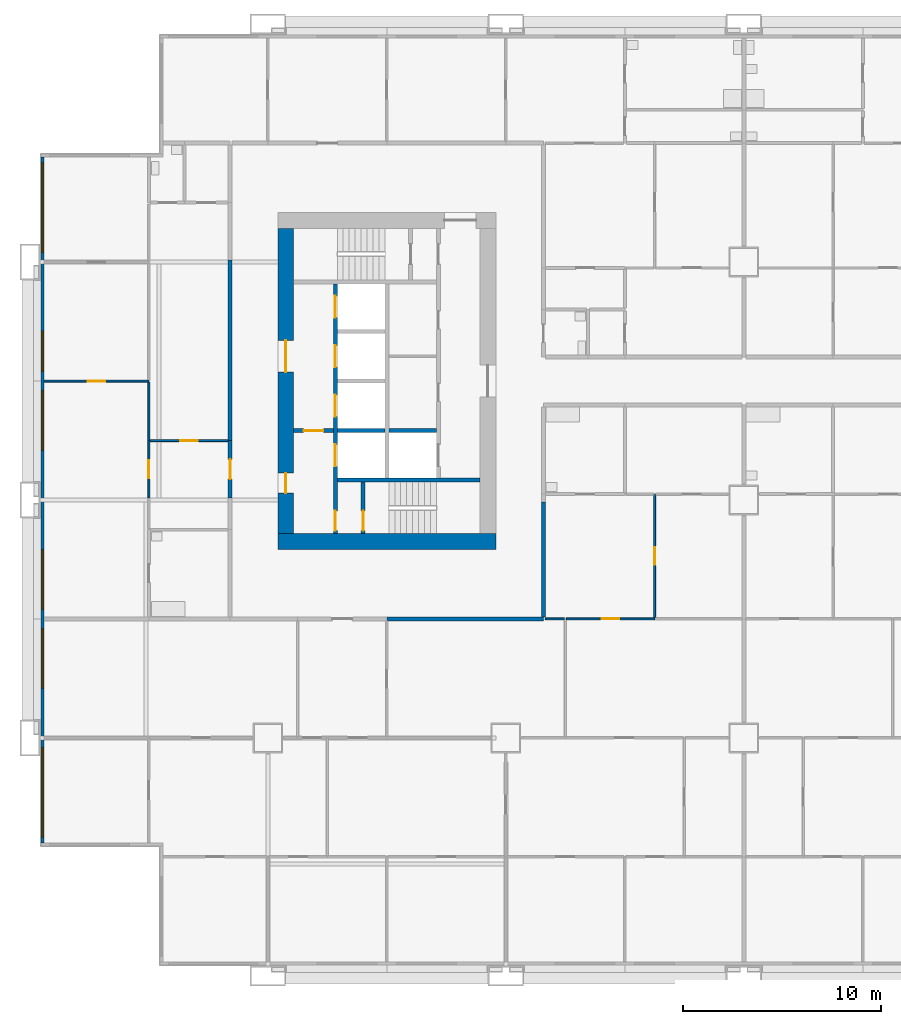
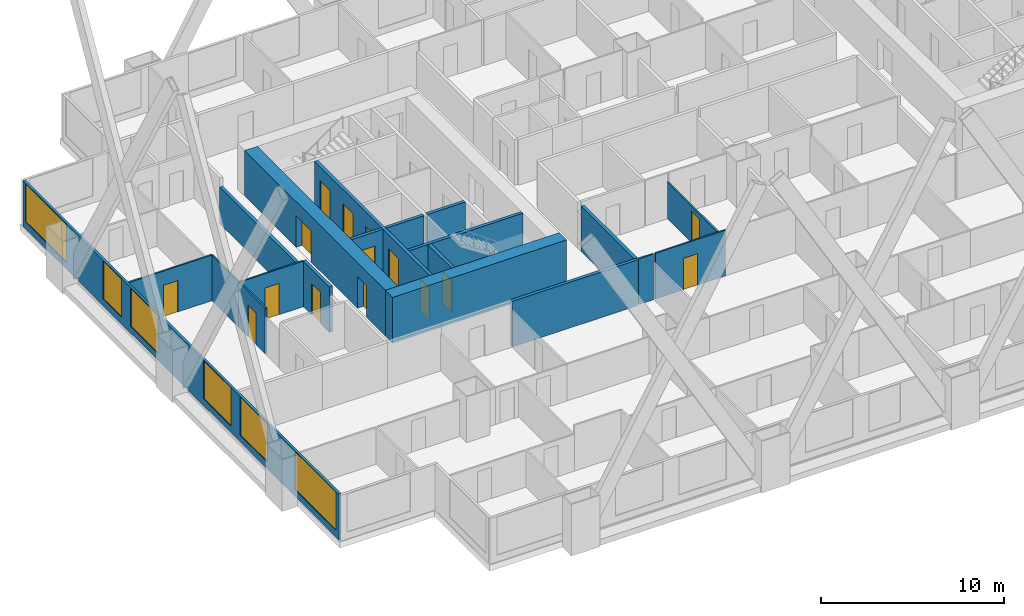
# One storey, part 3 of 13: 20 walls, 15 doors, 6 windows, 21 openings.
"""IFC4 building model written with IfcOpenShell, lengths in metres."""

import ifcopenshell
import ifcopenshell.guid

model = None  # the IFC model being written
_history = None  # IfcOwnerHistory: only IFC2X3 demands one
_inside = {}  # id of a spatial element -> (the spatial element, [elements in it])
_under = {}  # id of a project, library or spatial element -> (it, [spatial elements below it])
_declared = {}  # id of a project -> (the project, [libraries it declares])
_typed = {}  # id of a type object -> (the type object, [elements of that type])
_made_of = {}  # id of a material, layer set ... -> (it, [elements and type objects made of it])


def new_model(schema):
    """Start an empty IFC model of exactly this schema.

    Asked for "IFC4X3", IfcOpenShell would pick the latest addendum, in which some entities
    have other attributes; the version numbers below select the first issue.
    IFC2X3 requires an IfcOwnerHistory on every rooted entity: one is made here for all.
    """
    global model, _history
    if schema == "IFC4X3":
        model = ifcopenshell.file(schema_version=(4, 3, 0, 0))
    else:
        model = ifcopenshell.file(schema=schema)
    _inside.clear()
    _under.clear()
    _declared.clear()
    _typed.clear()
    _made_of.clear()
    _history = None
    if model.schema == "IFC2X3":
        org = make("IfcOrganization", Name="unknown")
        user = make(
            "IfcPersonAndOrganization",
            ThePerson=make("IfcPerson", FamilyName="unknown"),
            TheOrganization=org,
        )
        app = make(
            "IfcApplication",
            ApplicationDeveloper=org,
            Version="unknown",
            ApplicationFullName="unknown",
            ApplicationIdentifier="unknown",
        )
        _history = make(
            "IfcOwnerHistory",
            OwningUser=user,
            OwningApplication=app,
            ChangeAction="ADDED",
            CreationDate=0,
        )
    return model


def make(cls, **values):
    """One entity of the class cls with the attributes given. An attribute that is None is left unset."""
    return model.create_entity(
        cls, **{name: value for name, value in values.items() if value is not None}
    )


def rooted(cls, **values):
    """An entity with a GlobalId (a new one), such as an element, a storey or a relation."""
    return make(cls, GlobalId=ifcopenshell.guid.new(), OwnerHistory=_history, **values)


def si_unit(unit_type, name, prefix=None):
    """IfcSIUnit, for example si_unit("LENGTHUNIT", "METRE", prefix="MILLI")."""
    return make("IfcSIUnit", UnitType=unit_type, Prefix=prefix, Name=name)


def assignment(units):
    """IfcUnitAssignment: the units of a project."""
    return None if units is None else make("IfcUnitAssignment", Units=units)


def point(xyz):
    """IfcCartesianPoint."""
    return None if xyz is None else make("IfcCartesianPoint", Coordinates=xyz)


def direction(xyz):
    """IfcDirection."""
    return None if xyz is None else make("IfcDirection", DirectionRatios=xyz)


def frame(location, z_axis=None, x_axis=None):
    """IfcAxis2Placement3D, a coordinate frame: its origin and axes. An axis left out is left unset."""
    return make(
        "IfcAxis2Placement3D",
        Location=point(location),
        Axis=direction(z_axis),
        RefDirection=direction(x_axis),
    )


def frame_2d(location, x_axis=None):
    """IfcAxis2Placement2D, a coordinate frame in the plane: its origin and x axis."""
    return make(
        "IfcAxis2Placement2D", Location=point(location), RefDirection=direction(x_axis)
    )


def origin():
    """The frame at (0, 0, 0) with its axes left unset."""
    return frame((0.0, 0.0, 0.0))


def place(relative_to, where):
    """IfcLocalPlacement: puts the frame where relative to a parent placement (None: the world)."""
    return make(
        "IfcLocalPlacement", PlacementRelTo=relative_to, RelativePlacement=where
    )


def context(
    kind, dimensions, precision=None, world=None, true_north=None, identifier=None
):
    """IfcGeometricRepresentationContext, for example the 3D "Model" context."""
    return make(
        "IfcGeometricRepresentationContext",
        ContextIdentifier=identifier,
        ContextType=kind,
        CoordinateSpaceDimension=dimensions,
        Precision=precision,
        WorldCoordinateSystem=world,
        TrueNorth=true_north,
    )


def subcontext(parent, identifier, kind, view, scale=None):
    """IfcGeometricRepresentationSubContext, for example "Body" below "Model"."""
    return make(
        "IfcGeometricRepresentationSubContext",
        ContextIdentifier=identifier,
        ContextType=kind,
        ParentContext=parent,
        TargetScale=scale,
        TargetView=view,
    )


def project(units=None, contexts=None):
    """IfcProject with its units and contexts."""
    return rooted(
        "IfcProject",
        Name="project",
        RepresentationContexts=contexts,
        UnitsInContext=assignment(units),
    )


def spatial(cls, under=None, at=None, **own):
    """A site, building, storey or space (cls), placed at a placement, below another one or the project."""
    s = rooted(cls, ObjectPlacement=at, **own)
    if under is not None:
        _under.setdefault(under.id(), (under, []))[1].append(s)
    return s


def profile(cls, at=None, kind="AREA", **sizes):
    """A parametric profile (cls). Its sizes go by their IFC names, for example OverallWidth=200.0."""
    return make(cls, ProfileType=kind, Position=at, **sizes)


def rectangle(**sizes):
    """IfcRectangleProfileDef."""
    return profile("IfcRectangleProfileDef", **sizes)


def extrude(swept, where, along, depth):
    """IfcExtrudedAreaSolid: the profile swept, set in the frame where, extruded along a direction by depth."""
    return make(
        "IfcExtrudedAreaSolid",
        SweptArea=swept,
        Position=where,
        ExtrudedDirection=direction(along),
        Depth=depth,
    )


def shape(context_of_items, identifier, shape_type, items):
    """IfcShapeRepresentation: the items that make up one representation, for example the "Body"."""
    return make(
        "IfcShapeRepresentation",
        ContextOfItems=context_of_items,
        RepresentationIdentifier=identifier,
        RepresentationType=shape_type,
        Items=items,
    )


def material(Name=None, Category=None):
    """IfcMaterial."""
    return make("IfcMaterial", Name=Name, Category=Category)


def layer(
    of_material, thickness, ventilated=None, Name=None, Category=None, Priority=None
):
    """IfcMaterialLayer: one layer of a wall or slab, of a material (None: an air gap)."""
    return make(
        "IfcMaterialLayer",
        Material=of_material,
        LayerThickness=thickness,
        IsVentilated=ventilated,
        Name=Name,
        Category=Category,
        Priority=Priority,
    )


def layer_set(layers, Name=None):
    """IfcMaterialLayerSet."""
    return make("IfcMaterialLayerSet", MaterialLayers=layers, LayerSetName=Name)


def made_of(thing, what):
    """Note that an element or type object is made of a material, layer set ...; save() writes the relation."""
    if what is not None:
        _made_of.setdefault(what.id(), (what, []))[1].append(thing)
    return thing


def type_object(cls, material=None, **own):
    """A type object (cls), such as IfcWallType, which elements share."""
    return made_of(rooted(cls, **own), material)


def element(
    cls,
    number,
    at=None,
    inside=None,
    cuts=None,
    type_object=None,
    material=None,
    context=None,
    identifier="Body",
    shape_type=None,
    held_by="IfcProductDefinitionShape",
    body=None,
    shapes=None,
    **own,
):
    """One element of the class cls, such as IfcWall. Its Tag is "e" and its number.

    at: its placement. inside: the storey or other place that contains it. cuts: it is an
    opening in that element (IfcRelVoidsElement). A single representation is given by context,
    identifier, shape_type and body (its items); several are given by shapes. held_by: the class
    of the entity that holds the representations. save() writes the other relations.
    """
    e = rooted(cls, Tag="e%d" % number, ObjectPlacement=at, **own)
    if body is not None:
        shapes = [shape(context, identifier, shape_type, body)]
    if shapes is not None:
        e.Representation = make(held_by, Representations=shapes)
    if inside is not None:
        _inside.setdefault(inside.id(), (inside, []))[1].append(e)
    if cuts is not None:
        rooted(
            "IfcRelVoidsElement", RelatingBuildingElement=cuts, RelatedOpeningElement=e
        )
    if type_object is not None:
        _typed.setdefault(type_object.id(), (type_object, []))[1].append(e)
    return made_of(e, material)


def fill(opening, filler):
    """IfcRelFillsElement: the door or window that sits in an opening."""
    return rooted(
        "IfcRelFillsElement",
        RelatingOpeningElement=opening,
        RelatedBuildingElement=filler,
    )


def aggregate(whole, parts):
    """IfcRelAggregates: a whole, such as a stair, and the parts it consists of."""
    return rooted("IfcRelAggregates", RelatingObject=whole, RelatedObjects=parts)


def save(model, path):
    """Write the relations noted so far, then the file.

    IfcRelAggregates (storeys below a building ...), IfcRelContainedInSpatialStructure (elements
    in a storey), IfcRelDefinesByType, IfcRelAssociatesMaterial and IfcRelDeclares: one each for
    every whole, place, type object, material and project.
    """
    for whole, parts in _under.values():
        aggregate(whole, parts)
    for where, things in _inside.values():
        rooted(
            "IfcRelContainedInSpatialStructure",
            RelatedElements=things,
            RelatingStructure=where,
        )
    for kind, things in _typed.values():
        rooted("IfcRelDefinesByType", RelatedObjects=things, RelatingType=kind)
    for what, things in _made_of.values():
        rooted("IfcRelAssociatesMaterial", RelatedObjects=things, RelatingMaterial=what)
    for by, libraries in _declared.values():
        rooted("IfcRelDeclares", RelatingContext=by, RelatedDefinitions=libraries)
    model.write(path)


model = new_model("IFC4")

# Units and contexts
model_context = context("Model", 3, precision=1e-05, world=origin(), true_north=direction((0.0, 1.0)))
body_context = subcontext(model_context, "Body", "Model", "MODEL_VIEW")
ifc_project = project(units=[si_unit("LENGTHUNIT", "METRE"), si_unit("AREAUNIT", "SQUARE_METRE"), si_unit("VOLUMEUNIT", "CUBIC_METRE"), si_unit("PLANEANGLEUNIT", "RADIAN"), si_unit("MASSUNIT", "GRAM", prefix="KILO")], contexts=[model_context])

# Site, building, storey
site_placement = place(None, origin())
site = spatial("IfcSite", under=ifc_project, at=site_placement, CompositionType="ELEMENT")
building_placement = place(site_placement, origin())
building = spatial("IfcBuilding", under=site, at=building_placement, Name="Kitamizu Gate Tower and Museum", CompositionType="ELEMENT")
storey_placement = place(building_placement, frame((0.0, 0.0, 30.0)))
storey = spatial("IfcBuildingStorey", under=building, at=storey_placement, Name="L05", CompositionType="ELEMENT", Elevation=30.0)

# Wall
ifc_material_1 = material(Name="Concrete Fc60", Category="concrete")
ifc_layer_1 = layer(ifc_material_1, 0.800048828125)
ifc_layer_set_1 = layer_set([ifc_layer_1], Name="Concrete Fc60")
wall_type_1 = type_object("IfcWallType", Name="Core wall 800", PredefinedType="SHEAR", material=ifc_layer_set_1)
wall_1_placement = place(storey_placement, frame((12.5, 21.89990234375, 0.0), z_axis=(0.0, 0.0, 1.0), x_axis=(1.0, 0.0, 0.0)))
element("IfcWall", 1, at=wall_1_placement, inside=storey, type_object=wall_type_1, Name="Core wall WS", PredefinedType="SHEAR", context=body_context, shape_type="SweptSolid", body=[
    extrude(rectangle(XDim=11.0, YDim=0.800048828125, at=frame_2d((5.5, 0.0))), origin(), (0.0, 0.0, 1.0), 3.050048828125),
])

# Wall, openings, doors
wall_2_placement = place(storey_placement, frame((12.89990234375, 22.300048828125, 0.0), z_axis=(0.0, 0.0, 1.0), x_axis=(0.0, 1.0, 0.0)))
wall_2 = element("IfcWall", 2, at=wall_2_placement, inside=storey, type_object=wall_type_1, Name="Core wall WOUT", PredefinedType="SHEAR", context=body_context, shape_type="SweptSolid", body=[
    extrude(rectangle(XDim=15.39990234375, YDim=0.800048828125, at=frame_2d((7.699951171875, 0.0))), origin(), (0.0, 0.0, 1.0), 3.050048828125),
])
opening_1_placement = place(wall_2_placement, frame((8.14990234375, 0.0, 0.0)))
opening_1 = element("IfcOpeningElement", 3, at=opening_1_placement, cuts=wall_2, Name="Opening L05-083", PredefinedType="OPENING", context=body_context, shape_type="SweptSolid", body=[
    extrude(rectangle(XDim=1.60009765625, YDim=2.10009765625, at=frame_2d((0.800048828125, 1.050048828125))), frame((0.0, 0.41015625, 0.0), z_axis=(0.0, -1.0, 0.0), x_axis=(1.0, 0.0, 0.0)), (0.0, 0.0, 1.0), 0.820068359375),
])
opening_2_placement = place(wall_2_placement, frame((2.050048828125, 0.0, 0.0)))
opening_2 = element("IfcOpeningElement", 4, at=opening_2_placement, cuts=wall_2, Name="Opening L05-084", PredefinedType="OPENING", context=body_context, shape_type="SweptSolid", body=[
    extrude(rectangle(XDim=1.0, YDim=2.10009765625, at=frame_2d((0.5, 1.050048828125))), frame((0.0, 0.41015625, 0.0), z_axis=(0.0, -1.0, 0.0), x_axis=(1.0, 0.0, 0.0)), (0.0, 0.0, 1.0), 0.820068359375),
])
ifc_material_2 = material(Name="Timber door set", Category="wood")
door_type_1 = type_object("IfcDoorType", Name="Entrance door 1600", OperationType="DOUBLE_DOOR_SINGLE_SWING", PredefinedType="DOOR", material=ifc_material_2)
door_1_placement = place(opening_1_placement, origin())
door_1 = element("IfcDoor", 5, at=door_1_placement, inside=storey, type_object=door_type_1, Name="Lobby door L05-083", OperationType="DOUBLE_DOOR_SINGLE_SWING", OverallHeight=2.10009765625, OverallWidth=1.60009765625, PredefinedType="DOOR", context=body_context, shape_type="SweptSolid", body=[
    extrude(rectangle(XDim=1.60009765625, YDim=2.10009765625, at=frame_2d((0.800048828125, 1.050048828125))), frame((0.0, 0.02490234375, 0.0), z_axis=(0.0, -1.0, 0.0), x_axis=(1.0, 0.0, 0.0)), (0.0, 0.0, 1.0), 0.050048828125),
])
fill(opening_1, door_1)
ifc_material_3 = material(Name="Hollow metal door set")
door_type_2 = type_object("IfcDoorType", Name="Fire door 1000", OperationType="NOTDEFINED", PredefinedType="DOOR", material=ifc_material_3)
door_2_placement = place(opening_2_placement, frame((1.0, 0.0, 0.0), x_axis=(-1.0, 0.0, 0.0)))
door_2 = element("IfcDoor", 6, at=door_2_placement, inside=storey, type_object=door_type_2, Name="Fire-fighting lobby door L05-084", OperationType="SINGLE_SWING_LEFT", OverallHeight=2.10009765625, OverallWidth=1.0, PredefinedType="DOOR", context=body_context, shape_type="SweptSolid", body=[
    extrude(rectangle(XDim=1.0, YDim=2.10009765625, at=frame_2d((0.5, 1.050048828125))), frame((0.0, 0.02490234375, 0.0), z_axis=(0.0, -1.0, 0.0), x_axis=(1.0, 0.0, 0.0)), (0.0, 0.0, 1.0), 0.050048828125),
])
fill(opening_2, door_2)

# Wall
ifc_material_4 = material(Name="Gypsum board on galvanised stud")
ifc_layer_2 = layer(ifc_material_4, 0.10009765625)
ifc_layer_set_2 = layer_set([ifc_layer_2], Name="Gypsum board on galvanised stud")
wall_type_2 = type_object("IfcWallType", Name="Partition 100 NOT RATED", PredefinedType="PARTITIONING", material=ifc_layer_set_2)
wall_3_placement = place(storey_placement, frame((26.949951171875, 18.0, 0.0), z_axis=(0.0, 0.0, 1.0), x_axis=(-1.0, 0.0, 0.0)))
element("IfcWall", 7, at=wall_3_placement, inside=storey, type_object=wall_type_2, Name="Partition L05-034", PredefinedType="PARTITIONING", context=body_context, shape_type="SweptSolid", body=[
    extrude(rectangle(XDim=0.949951171875, YDim=0.10009765625, at=frame_2d((0.47509765625, 0.0))), origin(), (0.0, 0.0, 1.0), 3.050048828125),
])

# Wall, opening, door
wall_4_placement = place(storey_placement, frame((31.5, 18.0, 0.0), z_axis=(0.0, 0.0, 1.0), x_axis=(-1.0, 0.0, 0.0)))
wall_4 = element("IfcWall", 8, at=wall_4_placement, inside=storey, type_object=wall_type_2, Name="Partition L05-036", PredefinedType="PARTITIONING", context=body_context, shape_type="SweptSolid", body=[
    extrude(rectangle(XDim=4.449951171875, YDim=0.10009765625, at=frame_2d((2.22509765625, 0.0))), origin(), (0.0, 0.0, 1.0), 3.050048828125),
])
opening_3_placement = place(wall_4_placement, frame((1.77490234375, 0.0, 0.0)))
opening_3 = element("IfcOpeningElement", 9, at=opening_3_placement, cuts=wall_4, Name="Opening L05-015", PredefinedType="OPENING", context=body_context, shape_type="SweptSolid", body=[
    extrude(rectangle(XDim=0.89990234375, YDim=2.10009765625, at=frame_2d((0.449951171875, 1.050048828125))), frame((0.0, 0.06005859375, 0.0), z_axis=(0.0, -1.0, 0.0), x_axis=(1.0, 0.0, 0.0)), (0.0, 0.0, 1.0), 0.1201171875),
])
ifc_material_5 = material(Name="Timber door set", Category="wood")
door_type_3 = type_object("IfcDoorType", Name="Room door 900", OperationType="NOTDEFINED", PredefinedType="DOOR", material=ifc_material_5)
door_3_placement = place(opening_3_placement, frame((0.89990234375, 0.0, 0.0), x_axis=(-1.0, 0.0, 0.0)))
door_3 = element("IfcDoor", 10, at=door_3_placement, inside=storey, type_object=door_type_3, Name="Door L05-015", OperationType="SINGLE_SWING_LEFT", OverallHeight=2.10009765625, OverallWidth=0.89990234375, PredefinedType="DOOR", context=body_context, shape_type="SweptSolid", body=[
    extrude(rectangle(XDim=0.89990234375, YDim=2.10009765625, at=frame_2d((0.449951171875, 1.050048828125))), frame((0.0, 0.02490234375, 0.0), z_axis=(0.0, -1.0, 0.0), x_axis=(1.0, 0.0, 0.0)), (0.0, 0.0, 1.0), 0.050048828125),
])
fill(opening_3, door_3)

wall_5_placement = place(storey_placement, frame((31.5, 18.050048828125, 0.0), z_axis=(0.0, 0.0, 1.0), x_axis=(0.0, 1.0, 0.0)))
wall_5 = element("IfcWall", 11, at=wall_5_placement, inside=storey, type_object=wall_type_2, Name="Partition L05-039", PredefinedType="PARTITIONING", context=body_context, shape_type="SweptSolid", body=[
    extrude(rectangle(XDim=6.25, YDim=0.10009765625, at=frame_2d((3.125, 0.0))), origin(), (0.0, 0.0, 1.0), 2.449951171875),
])
opening_4_placement = place(wall_5_placement, frame((2.675048828125, 0.0, 0.0)))
opening_4 = element("IfcOpeningElement", 12, at=opening_4_placement, cuts=wall_5, Name="Opening L05-016", PredefinedType="OPENING", context=body_context, shape_type="SweptSolid", body=[
    extrude(rectangle(XDim=0.89990234375, YDim=2.10009765625, at=frame_2d((0.449951171875, 1.050048828125))), frame((0.0, 0.06005859375, 0.0), z_axis=(0.0, -1.0, 0.0), x_axis=(1.0, 0.0, 0.0)), (0.0, 0.0, 1.0), 0.1201171875),
])
door_4_placement = place(opening_4_placement, frame((0.89990234375, 0.0, 0.0), x_axis=(-1.0, 0.0, 0.0)))
door_4 = element("IfcDoor", 13, at=door_4_placement, inside=storey, type_object=door_type_3, Name="Door L05-016", OperationType="SINGLE_SWING_RIGHT", OverallHeight=2.10009765625, OverallWidth=0.89990234375, PredefinedType="DOOR", context=body_context, shape_type="SweptSolid", body=[
    extrude(rectangle(XDim=0.89990234375, YDim=2.10009765625, at=frame_2d((0.449951171875, 1.050048828125))), frame((0.0, 0.02490234375, 0.0), z_axis=(0.0, -1.0, 0.0), x_axis=(1.0, 0.0, 0.0)), (0.0, 0.0, 1.0), 0.050048828125),
])
fill(opening_4, door_4)

wall_6_placement = place(storey_placement, frame((6.0, 30.0, 0.0), z_axis=(0.0, 0.0, 1.0), x_axis=(-1.0, 0.0, 0.0)))
wall_6 = element("IfcWall", 14, at=wall_6_placement, inside=storey, type_object=wall_type_2, Name="Partition L05-051", PredefinedType="PARTITIONING", context=body_context, shape_type="SweptSolid", body=[
    extrude(rectangle(XDim=5.280029296875, YDim=0.10009765625, at=frame_2d((2.64013671875, 0.0))), origin(), (0.0, 0.0, 1.0), 3.050048828125),
])
opening_5_placement = place(wall_6_placement, frame((2.18994140625, 0.0, 0.0)))
opening_5 = element("IfcOpeningElement", 15, at=opening_5_placement, cuts=wall_6, Name="Opening L05-022", PredefinedType="OPENING", context=body_context, shape_type="SweptSolid", body=[
    extrude(rectangle(XDim=0.89990234375, YDim=2.10009765625, at=frame_2d((0.449951171875, 1.050048828125))), frame((0.0, 0.06005859375, 0.0), z_axis=(0.0, -1.0, 0.0), x_axis=(1.0, 0.0, 0.0)), (0.0, 0.0, 1.0), 0.1201171875),
])
door_5_placement = place(opening_5_placement, frame((0.89990234375, 0.0, 0.0), x_axis=(-1.0, 0.0, 0.0)))
door_5 = element("IfcDoor", 16, at=door_5_placement, inside=storey, type_object=door_type_3, Name="Door L05-022", OperationType="SINGLE_SWING_RIGHT", OverallHeight=2.10009765625, OverallWidth=0.89990234375, PredefinedType="DOOR", context=body_context, shape_type="SweptSolid", body=[
    extrude(rectangle(XDim=0.89990234375, YDim=2.10009765625, at=frame_2d((0.449951171875, 1.050048828125))), frame((0.0, 0.02490234375, 0.0), z_axis=(0.0, -1.0, 0.0), x_axis=(1.0, 0.0, 0.0)), (0.0, 0.0, 1.0), 0.050048828125),
])
fill(opening_5, door_5)

wall_7_placement = place(storey_placement, frame((6.0, 24.10009765625, 0.0), z_axis=(0.0, 0.0, 1.0), x_axis=(0.0, 1.0, 0.0)))
wall_7 = element("IfcWall", 17, at=wall_7_placement, inside=storey, type_object=wall_type_2, Name="Partition L05-054", PredefinedType="PARTITIONING", context=body_context, shape_type="SweptSolid", body=[
    extrude(rectangle(XDim=2.89990234375, YDim=0.10009765625, at=frame_2d((1.449951171875, 0.0))), origin(), (0.0, 0.0, 1.0), 3.050048828125),
])
opening_6_placement = place(wall_7_placement, frame((1.0, 0.0, 0.0)))
opening_6 = element("IfcOpeningElement", 18, at=opening_6_placement, cuts=wall_7, Name="Opening L05-020", PredefinedType="OPENING", context=body_context, shape_type="SweptSolid", body=[
    extrude(rectangle(XDim=0.89990234375, YDim=2.10009765625, at=frame_2d((0.449951171875, 1.050048828125))), frame((0.0, 0.06005859375, 0.0), z_axis=(0.0, -1.0, 0.0), x_axis=(1.0, 0.0, 0.0)), (0.0, 0.0, 1.0), 0.1201171875),
])
door_6_placement = place(opening_6_placement, origin())
door_6 = element("IfcDoor", 19, at=door_6_placement, inside=storey, type_object=door_type_3, Name="Door L05-020", OperationType="SINGLE_SWING_LEFT", OverallHeight=2.10009765625, OverallWidth=0.89990234375, PredefinedType="DOOR", context=body_context, shape_type="SweptSolid", body=[
    extrude(rectangle(XDim=0.89990234375, YDim=2.10009765625, at=frame_2d((0.449951171875, 1.050048828125))), frame((0.0, 0.02490234375, 0.0), z_axis=(0.0, -1.0, 0.0), x_axis=(1.0, 0.0, 0.0)), (0.0, 0.0, 1.0), 0.050048828125),
])
fill(opening_6, door_6)

# Wall
wall_8_placement = place(storey_placement, frame((6.0, 27.0, 0.0), z_axis=(0.0, 0.0, 1.0), x_axis=(0.0, 1.0, 0.0)))
element("IfcWall", 20, at=wall_8_placement, inside=storey, type_object=wall_type_2, Name="Partition L05-055", PredefinedType="PARTITIONING", context=body_context, shape_type="SweptSolid", body=[
    extrude(rectangle(XDim=2.949951171875, YDim=0.10009765625, at=frame_2d((1.47509765625, 0.0))), origin(), (0.0, 0.0, 1.0), 3.050048828125),
])

# Wall, opening, door
wall_9_placement = place(storey_placement, frame((10.0, 27.0, 0.0), z_axis=(0.0, 0.0, 1.0), x_axis=(-1.0, 0.0, 0.0)))
wall_9 = element("IfcWall", 21, at=wall_9_placement, inside=storey, type_object=wall_type_2, Name="Partition L05-062", PredefinedType="PARTITIONING", context=body_context, shape_type="SweptSolid", body=[
    extrude(rectangle(XDim=3.949951171875, YDim=0.10009765625, at=frame_2d((1.97509765625, 0.0))), origin(), (0.0, 0.0, 1.0), 3.050048828125),
])
opening_7_placement = place(wall_9_placement, frame((1.52490234375, 0.0, 0.0)))
opening_7 = element("IfcOpeningElement", 22, at=opening_7_placement, cuts=wall_9, Name="Opening L05-021", PredefinedType="OPENING", context=body_context, shape_type="SweptSolid", body=[
    extrude(rectangle(XDim=0.89990234375, YDim=2.10009765625, at=frame_2d((0.449951171875, 1.050048828125))), frame((0.0, 0.06005859375, 0.0), z_axis=(0.0, -1.0, 0.0), x_axis=(1.0, 0.0, 0.0)), (0.0, 0.0, 1.0), 0.1201171875),
])
door_7_placement = place(opening_7_placement, origin())
door_7 = element("IfcDoor", 23, at=door_7_placement, inside=storey, type_object=door_type_3, Name="Door L05-021", OperationType="SINGLE_SWING_RIGHT", OverallHeight=2.10009765625, OverallWidth=0.89990234375, PredefinedType="DOOR", context=body_context, shape_type="SweptSolid", body=[
    extrude(rectangle(XDim=0.89990234375, YDim=2.10009765625, at=frame_2d((0.449951171875, 1.050048828125))), frame((0.0, 0.02490234375, 0.0), z_axis=(0.0, -1.0, 0.0), x_axis=(1.0, 0.0, 0.0)), (0.0, 0.0, 1.0), 0.050048828125),
])
fill(opening_7, door_7)

# Walls
ifc_material_6 = material(Name="Gypsum board on galvanised stud")
ifc_layer_3 = layer(ifc_material_6, 0.199951171875)
ifc_layer_set_3 = layer_set([ifc_layer_3], Name="Gypsum board on galvanised stud")
wall_type_3 = type_object("IfcWallType", Name="Partition 200", PredefinedType="PARTITIONING", material=ifc_layer_set_3)
wall_10_placement = place(storey_placement, frame((25.89990234375, 18.0, 0.0), z_axis=(0.0, 0.0, 1.0), x_axis=(-1.0, 0.0, 0.0)))
element("IfcWall", 24, at=wall_10_placement, inside=storey, type_object=wall_type_3, Name="Partition L05-035", PredefinedType="PARTITIONING", context=body_context, shape_type="SweptSolid", body=[
    extrude(rectangle(XDim=7.89990234375, YDim=0.199951171875, at=frame_2d((3.949951171875, 0.0))), origin(), (0.0, 0.0, 1.0), 3.050048828125),
])
wall_11_placement = place(storey_placement, frame((25.89990234375, 23.89990234375, 0.0), z_axis=(0.0, 0.0, 1.0), x_axis=(0.0, -1.0, 0.0)))
element("IfcWall", 25, at=wall_11_placement, inside=storey, type_object=wall_type_3, Name="Partition L05-043", PredefinedType="PARTITIONING", context=body_context, shape_type="SweptSolid", body=[
    extrude(rectangle(XDim=5.7998046875, YDim=0.199951171875, at=frame_2d((2.89990234375, 0.0))), origin(), (0.0, 0.0, 1.0), 3.050048828125),
])

# Wall, opening, door
wall_12_placement = place(storey_placement, frame((10.10009765625, 24.10009765625, 0.0), z_axis=(0.0, 0.0, 1.0), x_axis=(0.0, 1.0, 0.0)))
wall_12 = element("IfcWall", 26, at=wall_12_placement, inside=storey, type_object=wall_type_3, Name="Partition L05-064", PredefinedType="PARTITIONING", context=body_context, shape_type="SweptSolid", body=[
    extrude(rectangle(XDim=2.89990234375, YDim=0.199951171875, at=frame_2d((1.449951171875, 0.0))), origin(), (0.0, 0.0, 1.0), 3.050048828125),
])
opening_8_placement = place(wall_12_placement, frame((0.949951171875, 0.0, 0.0)))
opening_8 = element("IfcOpeningElement", 27, at=opening_8_placement, cuts=wall_12, Name="Opening L05-019", PredefinedType="OPENING", context=body_context, shape_type="SweptSolid", body=[
    extrude(rectangle(XDim=1.0, YDim=2.10009765625, at=frame_2d((0.5, 1.050048828125))), frame((0.0, 0.10986328125, 0.0), z_axis=(0.0, -1.0, 0.0), x_axis=(1.0, 0.0, 0.0)), (0.0, 0.0, 1.0), 0.219970703125),
])
ifc_material_7 = material(Name="Timber door set", Category="wood")
door_type_4 = type_object("IfcDoorType", Name="Flat entrance door 1000", OperationType="NOTDEFINED", PredefinedType="DOOR", material=ifc_material_7)
door_8_placement = place(opening_8_placement, origin())
door_8 = element("IfcDoor", 28, at=door_8_placement, inside=storey, type_object=door_type_4, Name="Flat entrance door L05-019", OperationType="SINGLE_SWING_LEFT", OverallHeight=2.10009765625, OverallWidth=1.0, PredefinedType="DOOR", context=body_context, shape_type="SweptSolid", body=[
    extrude(rectangle(XDim=1.0, YDim=2.10009765625, at=frame_2d((0.5, 1.050048828125))), frame((0.0, 0.02490234375, 0.0), z_axis=(0.0, -1.0, 0.0), x_axis=(1.0, 0.0, 0.0)), (0.0, 0.0, 1.0), 0.050048828125),
])
fill(opening_8, door_8)

# Wall
wall_13_placement = place(storey_placement, frame((10.10009765625, 27.0, 0.0), z_axis=(0.0, 0.0, 1.0), x_axis=(0.0, 1.0, 0.0)))
element("IfcWall", 29, at=wall_13_placement, inside=storey, type_object=wall_type_3, Name="Partition L05-067", PredefinedType="PARTITIONING", context=body_context, shape_type="SweptSolid", body=[
    extrude(rectangle(XDim=9.10009765625, YDim=0.199951171875, at=frame_2d((4.550048828125, 0.0))), origin(), (0.0, 0.0, 1.0), 2.449951171875),
])

# Wall, openings, doors
ifc_material_8 = material(Name="Concrete Fc42", Category="concrete")
ifc_layer_4 = layer(ifc_material_8, 0.199951171875)
ifc_layer_set_4 = layer_set([ifc_layer_4], Name="Concrete Fc42")
wall_type_4 = type_object("IfcWallType", Name="Shaft wall 200", PredefinedType="SOLIDWALL", material=ifc_layer_set_4)
wall_14_placement = place(storey_placement, frame((15.39990234375, 22.300048828125, 0.0), z_axis=(0.0, 0.0, 1.0), x_axis=(0.0, 1.0, 0.0)))
wall_14 = element("IfcWall", 30, at=wall_14_placement, inside=storey, type_object=wall_type_4, Name="Shaft wall WWEST", PredefinedType="SOLIDWALL", context=body_context, shape_type="SweptSolid", body=[
    extrude(rectangle(XDim=12.599853515625, YDim=0.199951171875, at=frame_2d((6.2998046875, 0.0))), origin(), (0.0, 0.0, 1.0), 3.050048828125),
])
opening_9_placement = place(wall_14_placement, frame((3.39990234375, 0.0, 0.0)))
opening_9 = element("IfcOpeningElement", 31, at=opening_9_placement, cuts=wall_14, Name="Opening LD", PredefinedType="OPENING", context=body_context, shape_type="SweptSolid", body=[
    extrude(rectangle(XDim=1.10009765625, YDim=2.10009765625, at=frame_2d((0.550048828125, 1.050048828125))), frame((0.0, 0.10986328125, 0.0), z_axis=(0.0, -1.0, 0.0), x_axis=(1.0, 0.0, 0.0)), (0.0, 0.0, 1.0), 0.219970703125),
])
opening_10_placement = place(wall_14_placement, frame((5.89990234375, 0.0, 0.0)))
opening_10 = element("IfcOpeningElement", 32, at=opening_10_placement, cuts=wall_14, Name="Opening LD", PredefinedType="OPENING", context=body_context, shape_type="SweptSolid", body=[
    extrude(rectangle(XDim=1.10009765625, YDim=2.10009765625, at=frame_2d((0.550048828125, 1.050048828125))), frame((0.0, 0.10986328125, 0.0), z_axis=(0.0, -1.0, 0.0), x_axis=(1.0, 0.0, 0.0)), (0.0, 0.0, 1.0), 0.219970703125),
])
opening_11_placement = place(wall_14_placement, frame((8.39990234375, 0.0, 0.0)))
opening_11 = element("IfcOpeningElement", 33, at=opening_11_placement, cuts=wall_14, Name="Opening LD", PredefinedType="OPENING", context=body_context, shape_type="SweptSolid", body=[
    extrude(rectangle(XDim=1.10009765625, YDim=2.10009765625, at=frame_2d((0.550048828125, 1.050048828125))), frame((0.0, 0.10986328125, 0.0), z_axis=(0.0, -1.0, 0.0), x_axis=(1.0, 0.0, 0.0)), (0.0, 0.0, 1.0), 0.219970703125),
])
opening_12_placement = place(wall_14_placement, frame((10.89990234375, 0.0, 0.0)))
opening_12 = element("IfcOpeningElement", 34, at=opening_12_placement, cuts=wall_14, Name="Opening LD", PredefinedType="OPENING", context=body_context, shape_type="SweptSolid", body=[
    extrude(rectangle(XDim=1.10009765625, YDim=2.10009765625, at=frame_2d((0.550048828125, 1.050048828125))), frame((0.0, 0.10986328125, 0.0), z_axis=(0.0, -1.0, 0.0), x_axis=(1.0, 0.0, 0.0)), (0.0, 0.0, 1.0), 0.219970703125),
])
opening_13_placement = place(wall_14_placement, frame((0.14990234375, 0.0, 0.0)))
opening_13 = element("IfcOpeningElement", 35, at=opening_13_placement, cuts=wall_14, Name="Opening L05-079", PredefinedType="OPENING", context=body_context, shape_type="SweptSolid", body=[
    extrude(rectangle(XDim=1.0, YDim=2.10009765625, at=frame_2d((0.5, 1.050048828125))), frame((0.0, 0.10986328125, 0.0), z_axis=(0.0, -1.0, 0.0), x_axis=(1.0, 0.0, 0.0)), (0.0, 0.0, 1.0), 0.219970703125),
])
door_9_placement = place(opening_13_placement, frame((1.0, 0.0, 0.0), x_axis=(-1.0, 0.0, 0.0)))
door_9 = element("IfcDoor", 36, at=door_9_placement, inside=storey, type_object=door_type_2, Name="Stair lobby door L05-079", OperationType="SINGLE_SWING_LEFT", OverallHeight=2.10009765625, OverallWidth=1.0, PredefinedType="DOOR", context=body_context, shape_type="SweptSolid", body=[
    extrude(rectangle(XDim=1.0, YDim=2.10009765625, at=frame_2d((0.5, 1.050048828125))), frame((0.0, 0.02490234375, 0.0), z_axis=(0.0, -1.0, 0.0), x_axis=(1.0, 0.0, 0.0)), (0.0, 0.0, 1.0), 0.050048828125),
])
fill(opening_13, door_9)
ifc_material_9 = material(Name="Hollow metal door set")
door_type_5 = type_object("IfcDoorType", Name="Landing door 1100", OperationType="SLIDING_TO_LEFT", PredefinedType="DOOR", material=ifc_material_9)
door_10_placement = place(opening_9_placement, origin())
door_10 = element("IfcDoor", 37, at=door_10_placement, inside=storey, type_object=door_type_5, Name="Landing door WFF1", OperationType="SLIDING_TO_LEFT", OverallHeight=2.10009765625, OverallWidth=1.10009765625, PredefinedType="DOOR", context=body_context, shape_type="SweptSolid", body=[
    extrude(rectangle(XDim=1.10009765625, YDim=2.10009765625, at=frame_2d((0.550048828125, 1.050048828125))), frame((0.0, 0.02490234375, 0.0), z_axis=(0.0, -1.0, 0.0), x_axis=(1.0, 0.0, 0.0)), (0.0, 0.0, 1.0), 0.050048828125),
])
fill(opening_9, door_10)
door_11_placement = place(opening_10_placement, origin())
door_11 = element("IfcDoor", 38, at=door_11_placement, inside=storey, type_object=door_type_5, Name="Landing door WL1", OperationType="SLIDING_TO_LEFT", OverallHeight=2.10009765625, OverallWidth=1.10009765625, PredefinedType="DOOR", context=body_context, shape_type="SweptSolid", body=[
    extrude(rectangle(XDim=1.10009765625, YDim=2.10009765625, at=frame_2d((0.550048828125, 1.050048828125))), frame((0.0, 0.02490234375, 0.0), z_axis=(0.0, -1.0, 0.0), x_axis=(1.0, 0.0, 0.0)), (0.0, 0.0, 1.0), 0.050048828125),
])
fill(opening_10, door_11)
door_12_placement = place(opening_11_placement, origin())
door_12 = element("IfcDoor", 39, at=door_12_placement, inside=storey, type_object=door_type_5, Name="Landing door WL2", OperationType="SLIDING_TO_LEFT", OverallHeight=2.10009765625, OverallWidth=1.10009765625, PredefinedType="DOOR", context=body_context, shape_type="SweptSolid", body=[
    extrude(rectangle(XDim=1.10009765625, YDim=2.10009765625, at=frame_2d((0.550048828125, 1.050048828125))), frame((0.0, 0.02490234375, 0.0), z_axis=(0.0, -1.0, 0.0), x_axis=(1.0, 0.0, 0.0)), (0.0, 0.0, 1.0), 0.050048828125),
])
fill(opening_11, door_12)
door_13_placement = place(opening_12_placement, origin())
door_13 = element("IfcDoor", 40, at=door_13_placement, inside=storey, type_object=door_type_5, Name="Landing door WL3", OperationType="SLIDING_TO_LEFT", OverallHeight=2.10009765625, OverallWidth=1.10009765625, PredefinedType="DOOR", context=body_context, shape_type="SweptSolid", body=[
    extrude(rectangle(XDim=1.10009765625, YDim=2.10009765625, at=frame_2d((0.550048828125, 1.050048828125))), frame((0.0, 0.02490234375, 0.0), z_axis=(0.0, -1.0, 0.0), x_axis=(1.0, 0.0, 0.0)), (0.0, 0.0, 1.0), 0.050048828125),
])
fill(opening_12, door_13)

# Wall
wall_15_placement = place(storey_placement, frame((15.5, 25.0, 0.0), z_axis=(0.0, 0.0, 1.0), x_axis=(1.0, 0.0, 0.0)))
element("IfcWall", 41, at=wall_15_placement, inside=storey, type_object=wall_type_4, Name="Shaft wall WSB", PredefinedType="SOLIDWALL", context=body_context, shape_type="SweptSolid", body=[
    extrude(rectangle(XDim=7.199951171875, YDim=0.199951171875, at=frame_2d((3.60009765625, 0.0))), origin(), (0.0, 0.0, 1.0), 3.050048828125),
])

# Wall, opening, door
wall_16_placement = place(storey_placement, frame((13.300048828125, 27.5, 0.0), z_axis=(0.0, 0.0, 1.0), x_axis=(1.0, 0.0, 0.0)))
wall_16 = element("IfcWall", 42, at=wall_16_placement, inside=storey, type_object=wall_type_4, Name="Shaft wall WFFN", PredefinedType="SOLIDWALL", context=body_context, shape_type="SweptSolid", body=[
    extrude(rectangle(XDim=2.0, YDim=0.199951171875, at=frame_2d((1.0, 0.0))), origin(), (0.0, 0.0, 1.0), 3.050048828125),
])
opening_14_placement = place(wall_16_placement, frame((0.5, 0.0, 0.0)))
opening_14 = element("IfcOpeningElement", 43, at=opening_14_placement, cuts=wall_16, Name="Opening L05-082", PredefinedType="OPENING", context=body_context, shape_type="SweptSolid", body=[
    extrude(rectangle(XDim=1.0, YDim=2.10009765625, at=frame_2d((0.5, 1.050048828125))), frame((0.0, 0.10986328125, 0.0), z_axis=(0.0, -1.0, 0.0), x_axis=(1.0, 0.0, 0.0)), (0.0, 0.0, 1.0), 0.219970703125),
])
door_14_placement = place(opening_14_placement, frame((1.0, 0.0, 0.0), x_axis=(-1.0, 0.0, 0.0)))
door_14 = element("IfcDoor", 44, at=door_14_placement, inside=storey, type_object=door_type_2, Name="Fire-fighting lobby door L05-082", OperationType="SINGLE_SWING_RIGHT", OverallHeight=2.10009765625, OverallWidth=1.0, PredefinedType="DOOR", context=body_context, shape_type="SweptSolid", body=[
    extrude(rectangle(XDim=1.0, YDim=2.10009765625, at=frame_2d((0.5, 1.050048828125))), frame((0.0, 0.02490234375, 0.0), z_axis=(0.0, -1.0, 0.0), x_axis=(1.0, 0.0, 0.0)), (0.0, 0.0, 1.0), 0.050048828125),
])
fill(opening_14, door_14)

wall_17_placement = place(storey_placement, frame((16.800048828125, 22.300048828125, 0.0), z_axis=(0.0, 0.0, 1.0), x_axis=(0.0, 1.0, 0.0)))
wall_17 = element("IfcWall", 45, at=wall_17_placement, inside=storey, type_object=wall_type_4, Name="Shaft wall WSZ", PredefinedType="SOLIDWALL", context=body_context, shape_type="SweptSolid", body=[
    extrude(rectangle(XDim=2.599853515625, YDim=0.199951171875, at=frame_2d((1.2998046875, 0.0))), origin(), (0.0, 0.0, 1.0), 3.050048828125),
])
opening_15_placement = place(wall_17_placement, frame((0.14990234375, 0.0, 0.0)))
opening_15 = element("IfcOpeningElement", 46, at=opening_15_placement, cuts=wall_17, Name="Opening L05-078", PredefinedType="OPENING", context=body_context, shape_type="SweptSolid", body=[
    extrude(rectangle(XDim=1.0, YDim=2.10009765625, at=frame_2d((0.5, 1.050048828125))), frame((0.0, 0.10986328125, 0.0), z_axis=(0.0, -1.0, 0.0), x_axis=(1.0, 0.0, 0.0)), (0.0, 0.0, 1.0), 0.219970703125),
])
door_15_placement = place(opening_15_placement, frame((1.0, 0.0, 0.0), x_axis=(-1.0, 0.0, 0.0)))
door_15 = element("IfcDoor", 47, at=door_15_placement, inside=storey, type_object=door_type_2, Name="Stair door L05-078", OperationType="SINGLE_SWING_LEFT", OverallHeight=2.10009765625, OverallWidth=1.0, PredefinedType="DOOR", context=body_context, shape_type="SweptSolid", body=[
    extrude(rectangle(XDim=1.0, YDim=2.10009765625, at=frame_2d((0.5, 1.050048828125))), frame((0.0, 0.02490234375, 0.0), z_axis=(0.0, -1.0, 0.0), x_axis=(1.0, 0.0, 0.0)), (0.0, 0.0, 1.0), 0.050048828125),
])
fill(opening_15, door_15)

# Walls
for number, where, z_axis, x_axis, name in (
    (48, (15.5, 27.5, 0.0), (0.0, 0.0, 1.0), (1.0, 0.0, 0.0), "Shaft wall WDVW0"),
    (49, (18.10009765625, 27.5, 0.0), (0.0, 0.0, 1.0), (1.0, 0.0, 0.0), "Shaft wall WDVE0"),
):
    element("IfcWall", number, at=place(storey_placement, frame(where, z_axis=z_axis, x_axis=x_axis)), inside=storey, type_object=wall_type_4, Name=name, PredefinedType="SOLIDWALL", context=body_context, shape_type="SweptSolid", body=[
        extrude(rectangle(XDim=2.39990234375, YDim=0.199951171875, at=frame_2d((1.199951171875, 0.0))), origin(), (0.0, 0.0, 1.0), 3.050048828125),
    ])

# Wall, openings, windows
ifc_material_10 = material(Name="Bronze anodised aluminium frame with insulated spandrel and tinted glass", Category="aluminium")
ifc_layer_5 = layer(ifc_material_10, 0.14990234375)
ifc_layer_set_5 = layer_set([ifc_layer_5], Name="Bronze anodised aluminium frame with insulated spandrel and tinted glass")
wall_type_5 = type_object("IfcWallType", Name="WINDOW WALL 150 BRONZE FRAME EI 30", PredefinedType="ELEMENTEDWALL", material=ifc_layer_set_5)
wall_18_placement = place(storey_placement, frame((0.635009765625, 6.7099609375, 0.0), z_axis=(0.0, 0.0, 1.0), x_axis=(0.0, 1.0, 0.0)))
wall_18 = element("IfcWall", 50, at=wall_18_placement, inside=storey, type_object=wall_type_5, Name="Window wall west L05", PredefinedType="ELEMENTEDWALL", context=body_context, shape_type="SweptSolid", body=[
    extrude(rectangle(XDim=34.580078125, YDim=0.14990234375, at=frame_2d((17.2900390625, 0.0))), origin(), (0.0, 0.0, 1.0), 3.050048828125),
])
opening_16_placement = place(wall_18_placement, frame((0.2900390625, 0.0, 0.449951171875)))
opening_16 = element("IfcOpeningElement", 51, at=opening_16_placement, cuts=wall_18, Name="Opening W15", PredefinedType="OPENING", context=body_context, shape_type="SweptSolid", body=[
    extrude(rectangle(XDim=4.5, YDim=2.550048828125, at=frame_2d((2.25, 1.27490234375))), frame((0.0, 0.0849609375, 0.0), z_axis=(0.0, -1.0, 0.0), x_axis=(1.0, 0.0, 0.0)), (0.0, 0.0, 1.0), 0.169921875),
])
opening_17_placement = place(wall_18_placement, frame((7.7900390625, 0.0, 0.449951171875)))
opening_17 = element("IfcOpeningElement", 52, at=opening_17_placement, cuts=wall_18, Name="Opening W33", PredefinedType="OPENING", context=body_context, shape_type="SweptSolid", body=[
    extrude(rectangle(XDim=3.0, YDim=2.550048828125, at=frame_2d((1.5, 1.27490234375))), frame((0.0, 0.0849609375, 0.0), z_axis=(0.0, -1.0, 0.0), x_axis=(1.0, 0.0, 0.0)), (0.0, 0.0, 1.0), 0.169921875),
])
opening_18_placement = place(wall_18_placement, frame((11.7900390625, 0.0, 0.449951171875)))
opening_18 = element("IfcOpeningElement", 53, at=opening_18_placement, cuts=wall_18, Name="Opening W33", PredefinedType="OPENING", context=body_context, shape_type="SweptSolid", body=[
    extrude(rectangle(XDim=3.0, YDim=2.550048828125, at=frame_2d((1.5, 1.27490234375))), frame((0.0, 0.0849609375, 0.0), z_axis=(0.0, -1.0, 0.0), x_axis=(1.0, 0.0, 0.0)), (0.0, 0.0, 1.0), 0.169921875),
])
opening_19_placement = place(wall_18_placement, frame((19.7900390625, 0.0, 0.449951171875)))
opening_19 = element("IfcOpeningElement", 54, at=opening_19_placement, cuts=wall_18, Name="Opening W33", PredefinedType="OPENING", context=body_context, shape_type="SweptSolid", body=[
    extrude(rectangle(XDim=3.0, YDim=2.550048828125, at=frame_2d((1.5, 1.27490234375))), frame((0.0, 0.0849609375, 0.0), z_axis=(0.0, -1.0, 0.0), x_axis=(1.0, 0.0, 0.0)), (0.0, 0.0, 1.0), 0.169921875),
])
opening_20_placement = place(wall_18_placement, frame((23.7900390625, 0.0, 0.449951171875)))
opening_20 = element("IfcOpeningElement", 55, at=opening_20_placement, cuts=wall_18, Name="Opening W2", PredefinedType="OPENING", context=body_context, shape_type="SweptSolid", body=[
    extrude(rectangle(XDim=2.0, YDim=2.550048828125, at=frame_2d((1.0, 1.27490234375))), frame((0.0, 0.0849609375, 0.0), z_axis=(0.0, -1.0, 0.0), x_axis=(1.0, 0.0, 0.0)), (0.0, 0.0, 1.0), 0.169921875),
])
opening_21_placement = place(wall_18_placement, frame((29.7900390625, 0.0, 0.449951171875)))
opening_21 = element("IfcOpeningElement", 56, at=opening_21_placement, cuts=wall_18, Name="Opening W15", PredefinedType="OPENING", context=body_context, shape_type="SweptSolid", body=[
    extrude(rectangle(XDim=4.5, YDim=2.550048828125, at=frame_2d((2.25, 1.27490234375))), frame((0.0, 0.0849609375, 0.0), z_axis=(0.0, -1.0, 0.0), x_axis=(1.0, 0.0, 0.0)), (0.0, 0.0, 1.0), 0.169921875),
])
ifc_material_11 = material(Name="Bronze anodised aluminium frame, tinted triple glazing", Category="aluminium")
window_type_1 = type_object("IfcWindowType", Name="WINDOW 2000 x 2550 SILL 450", PartitioningType="SINGLE_PANEL", PredefinedType="WINDOW", material=ifc_material_11)
window_1_placement = place(opening_20_placement, origin())
window_1 = element("IfcWindow", 57, at=window_1_placement, inside=storey, type_object=window_type_1, Name="Window W2 L05", OverallHeight=2.550048828125, OverallWidth=2.0, PartitioningType="SINGLE_PANEL", PredefinedType="WINDOW", context=body_context, shape_type="SweptSolid", body=[
    extrude(rectangle(XDim=2.0, YDim=2.550048828125, at=frame_2d((1.0, 1.27490234375))), frame((0.0, 0.030029296875, 0.0), z_axis=(0.0, -1.0, 0.0), x_axis=(1.0, 0.0, 0.0)), (0.0, 0.0, 1.0), 0.06005859375),
])
fill(opening_20, window_1)
ifc_material_12 = material(Name="Bronze anodised aluminium frame, tinted triple glazing", Category="aluminium")
window_type_2 = type_object("IfcWindowType", Name="WINDOW 3000 x 2550 SILL 450", PartitioningType="SINGLE_PANEL", PredefinedType="WINDOW", material=ifc_material_12)
window_2_placement = place(opening_17_placement, origin())
window_2 = element("IfcWindow", 58, at=window_2_placement, inside=storey, type_object=window_type_2, Name="Window W33 L05", OverallHeight=2.550048828125, OverallWidth=3.0, PartitioningType="SINGLE_PANEL", PredefinedType="WINDOW", context=body_context, shape_type="SweptSolid", body=[
    extrude(rectangle(XDim=3.0, YDim=2.550048828125, at=frame_2d((1.5, 1.27490234375))), frame((0.0, 0.030029296875, 0.0), z_axis=(0.0, -1.0, 0.0), x_axis=(1.0, 0.0, 0.0)), (0.0, 0.0, 1.0), 0.06005859375),
])
fill(opening_17, window_2)
window_3_placement = place(opening_18_placement, origin())
window_3 = element("IfcWindow", 59, at=window_3_placement, inside=storey, type_object=window_type_2, Name="Window W33 L05", OverallHeight=2.550048828125, OverallWidth=3.0, PartitioningType="SINGLE_PANEL", PredefinedType="WINDOW", context=body_context, shape_type="SweptSolid", body=[
    extrude(rectangle(XDim=3.0, YDim=2.550048828125, at=frame_2d((1.5, 1.27490234375))), frame((0.0, 0.030029296875, 0.0), z_axis=(0.0, -1.0, 0.0), x_axis=(1.0, 0.0, 0.0)), (0.0, 0.0, 1.0), 0.06005859375),
])
fill(opening_18, window_3)
window_4_placement = place(opening_19_placement, origin())
window_4 = element("IfcWindow", 60, at=window_4_placement, inside=storey, type_object=window_type_2, Name="Window W33 L05", OverallHeight=2.550048828125, OverallWidth=3.0, PartitioningType="SINGLE_PANEL", PredefinedType="WINDOW", context=body_context, shape_type="SweptSolid", body=[
    extrude(rectangle(XDim=3.0, YDim=2.550048828125, at=frame_2d((1.5, 1.27490234375))), frame((0.0, 0.030029296875, 0.0), z_axis=(0.0, -1.0, 0.0), x_axis=(1.0, 0.0, 0.0)), (0.0, 0.0, 1.0), 0.06005859375),
])
fill(opening_19, window_4)
ifc_material_13 = material(Name="Bronze anodised aluminium frame, tinted triple glazing", Category="aluminium")
window_type_3 = type_object("IfcWindowType", Name="WINDOW 4500 x 2550 SILL 450", PartitioningType="SINGLE_PANEL", PredefinedType="WINDOW", material=ifc_material_13)
window_5_placement = place(opening_16_placement, origin())
window_5 = element("IfcWindow", 61, at=window_5_placement, inside=storey, type_object=window_type_3, Name="Window W15 L05", OverallHeight=2.550048828125, OverallWidth=4.5, PartitioningType="SINGLE_PANEL", PredefinedType="WINDOW", context=body_context, shape_type="SweptSolid", body=[
    extrude(rectangle(XDim=4.5, YDim=2.550048828125, at=frame_2d((2.25, 1.27490234375))), frame((0.0, 0.030029296875, 0.0), z_axis=(0.0, -1.0, 0.0), x_axis=(1.0, 0.0, 0.0)), (0.0, 0.0, 1.0), 0.06005859375),
])
fill(opening_16, window_5)
window_6_placement = place(opening_21_placement, origin())
window_6 = element("IfcWindow", 62, at=window_6_placement, inside=storey, type_object=window_type_3, Name="Window W15 L05", OverallHeight=2.550048828125, OverallWidth=4.5, PartitioningType="SINGLE_PANEL", PredefinedType="WINDOW", context=body_context, shape_type="SweptSolid", body=[
    extrude(rectangle(XDim=4.5, YDim=2.550048828125, at=frame_2d((2.25, 1.27490234375))), frame((0.0, 0.030029296875, 0.0), z_axis=(0.0, -1.0, 0.0), x_axis=(1.0, 0.0, 0.0)), (0.0, 0.0, 1.0), 0.06005859375),
])
fill(opening_21, window_6)

save(model, "model.ifc")
